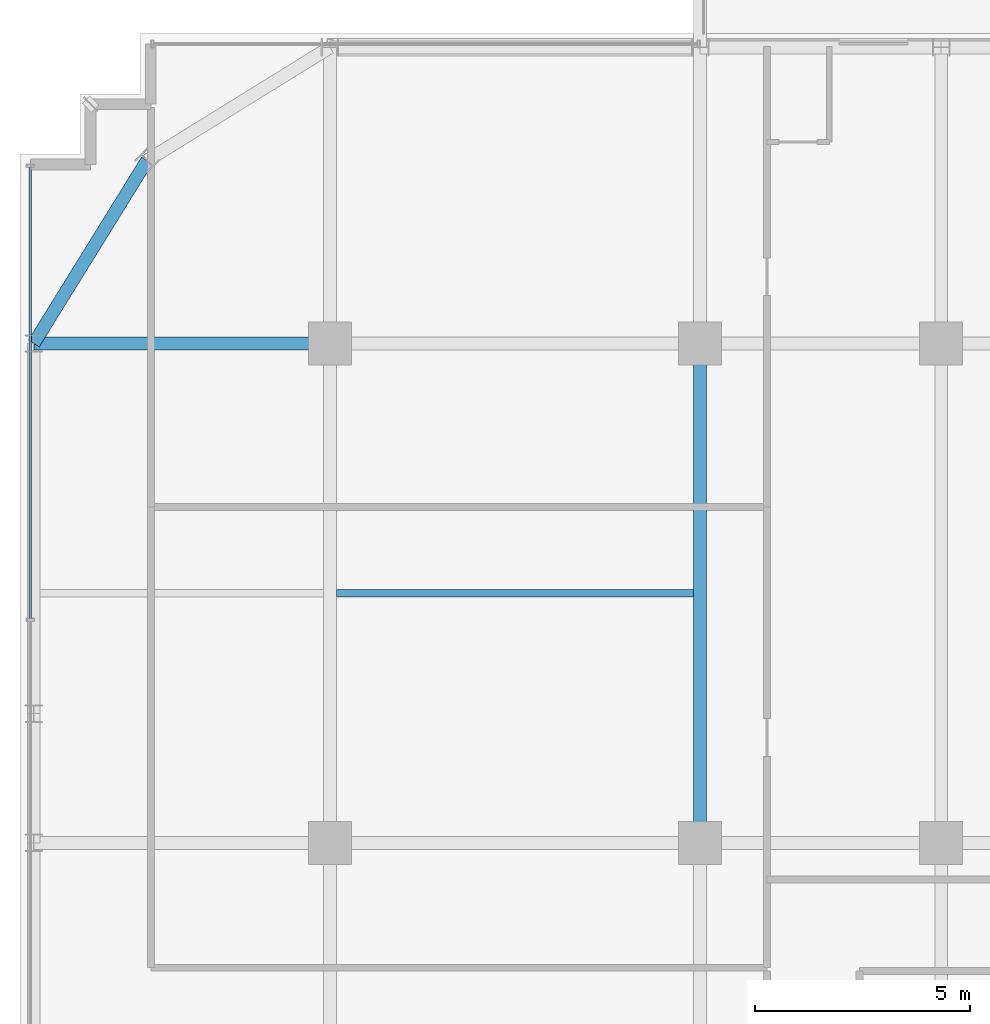
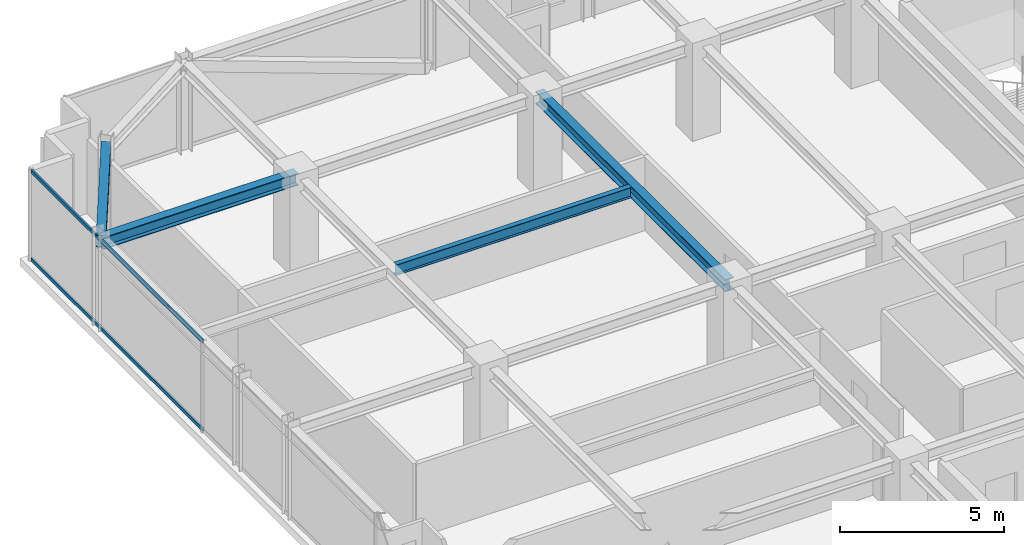
# One storey, part 19 of 42: 4 beams, 2 members, 1 element without a shape of its own.
"""IFC4 building model written with IfcOpenShell, lengths in metres."""

from ifc_helpers import new_model, si_unit, direction, frame, origin, origin_2d, place, context, subcontext, project, spatial, hollow_rectangle, i_section, extrude, source, transform, mapped, material, material_profile, profile_set, type_object, element, aggregate, save


model = new_model("IFC4")

# Units and contexts
model_context = context("Model", 3, precision=1e-05, world=origin(), true_north=direction((0.0, 1.0)))
body_context = subcontext(model_context, "Body", "Model", "MODEL_VIEW")
ifc_project = project(units=[si_unit("LENGTHUNIT", "METRE"), si_unit("AREAUNIT", "SQUARE_METRE"), si_unit("VOLUMEUNIT", "CUBIC_METRE"), si_unit("PLANEANGLEUNIT", "RADIAN"), si_unit("MASSUNIT", "GRAM", prefix="KILO")], contexts=[model_context])

# Site, building, storey
site_placement = place(None, origin())
site = spatial("IfcSite", under=ifc_project, at=site_placement, CompositionType="ELEMENT")
building_placement = place(site_placement, origin())
building = spatial("IfcBuilding", under=site, at=building_placement, Name="Nahalor Promenade Grand Hotel", CompositionType="ELEMENT")
storey_placement = place(building_placement, frame((0.0, 0.0, 249.300048828125)))
storey = spatial("IfcBuildingStorey", under=building, at=storey_placement, Name="L64", CompositionType="ELEMENT", Elevation=249.300048828125)

# Beams
ifc_material_1 = material(Name="Steel S355JR", Category="steel")
ifc_material_profile_1 = material_profile(ifc_material_1, i_section(OverallWidth=0.3, OverallDepth=0.45, WebThickness=0.014, FlangeThickness=0.026, at=origin_2d()), Name="HEB 450")
ifc_profile_set_1 = profile_set([ifc_material_profile_1], Name="Steel S355JR")
beam_type_1 = type_object("IfcBeamType", Name="Beam-Spandrel-HEB450", PredefinedType="SPANDREL", material=ifc_profile_set_1)
shared_shape_1 = source(origin(), body_context, "Body", "SweptSolid", [
    extrude(i_section(OverallWidth=0.3, OverallDepth=0.45, WebThickness=0.014, FlangeThickness=0.026, at=origin_2d()), origin(), (0.0, 0.0, 1.0), 4.997802734375),
])
beam_1_placement = place(storey_placement, frame((-21.25, 21.25, 3.18505859375), z_axis=(-0.526199891161, -0.850360908404, 0.0), x_axis=(0.850360908404, -0.526199891161, 0.0)))
element("IfcBeam", 1, at=beam_1_placement, inside=storey, type_object=beam_type_1, Name="BM-L64-SPC-NW-2", PredefinedType="SPANDREL", context=body_context, shape_type="MappedRepresentation", body=[
    mapped(shared_shape_1, transform((0.0, 0.0, 0.0), scale=1.0)),
])
ifc_material_profile_2 = material_profile(ifc_material_1, i_section(OverallWidth=0.3, OverallDepth=0.45, WebThickness=0.014, FlangeThickness=0.026, at=origin_2d()), Name="HEB 450")
ifc_profile_set_2 = profile_set([ifc_material_profile_2], Name="Steel S355JR")
beam_type_2 = type_object("IfcBeamType", Name="Beam-Girder-HEB450", PredefinedType="BEAM", material=ifc_profile_set_2)
shared_shape_2 = source(origin(), body_context, "Body", "SweptSolid", [
    extrude(i_section(OverallWidth=0.3, OverallDepth=0.45, WebThickness=0.014, FlangeThickness=0.026, at=origin_2d()), origin(), (0.0, 0.0, 1.0), 6.8798828125),
])
beam_2_placement = place(storey_placement, frame((-23.8798828125, 17.0, 3.18505859375), z_axis=(1.0, 0.0, 0.0), x_axis=(0.0, 1.0, 0.0)))
element("IfcBeam", 2, at=beam_2_placement, inside=storey, type_object=beam_type_2, Name="BM-L64-GX-3-0", PredefinedType="BEAM", context=body_context, shape_type="MappedRepresentation", body=[
    mapped(shared_shape_2, transform((0.0, 0.0, 0.0), scale=1.0)),
])
shared_shape_3 = source(origin(), body_context, "Body", "SweptSolid", [
    extrude(i_section(OverallWidth=0.3, OverallDepth=0.45, WebThickness=0.014, FlangeThickness=0.026, at=origin_2d()), origin(), (0.0, 0.0, 1.0), 11.60009765625),
])
beam_3_placement = place(storey_placement, frame((-8.39990234375, 5.39990234375, 3.18505859375), z_axis=(0.0, 1.0, 0.0), x_axis=(-1.0, 0.0, 0.0)))
element("IfcBeam", 3, at=beam_3_placement, inside=storey, type_object=beam_type_2, Name="BM-L64-GY-1-3", PredefinedType="BEAM", context=body_context, shape_type="MappedRepresentation", body=[
    mapped(shared_shape_3, transform((0.0, 0.0, 0.0), scale=1.0)),
])
ifc_material_profile_3 = material_profile(ifc_material_1, i_section(OverallWidth=0.18, OverallDepth=0.4, WebThickness=0.0086, FlangeThickness=0.0135, at=origin_2d()), Name="IPE 400")
ifc_profile_set_3 = profile_set([ifc_material_profile_3], Name="Steel S355JR")
beam_type_3 = type_object("IfcBeamType", Name="Beam-Joist-IPE400", PredefinedType="JOIST", material=ifc_profile_set_3)
shared_shape_4 = source(origin(), body_context, "Body", "SweptSolid", [
    extrude(i_section(OverallWidth=0.18, OverallDepth=0.4, WebThickness=0.0086, FlangeThickness=0.0135, at=origin_2d()), origin(), (0.0, 0.0, 1.0), 8.300048828125),
])
beam_4_placement = place(storey_placement, frame((-16.85009765625, 11.199951171875, 3.2099609375), z_axis=(1.0, 0.0, 0.0), x_axis=(0.0, 1.0, 0.0)))
element("IfcBeam", 4, at=beam_4_placement, inside=storey, type_object=beam_type_3, Name="BM-L64-JSW-1-1", PredefinedType="JOIST", context=body_context, shape_type="MappedRepresentation", body=[
    mapped(shared_shape_4, transform((0.0, 0.0, 0.0), scale=1.0)),
])

# Curtain wall, members
ifc_material_2 = material(Name="Anodised Bronze Aluminium EN AW-6063 T6", Category="aluminium")
curtain_wall_type = type_object("IfcCurtainWallType", Name="CW2 Typical Hotel Flush Bronze Unitised Curtain Wall", PredefinedType="USERDEFINED", material=ifc_material_2)
curtain_wall_placement = place(storey_placement, origin())
curtain_wall = element("IfcCurtainWall", 5, at=curtain_wall_placement, inside=storey, type_object=curtain_wall_type, Name="L64 Curtain Wall CW-L64-W-1", ObjectType="UNITISED_CURTAIN_WALL", PredefinedType="USERDEFINED")
ifc_material_profile_4 = material_profile(ifc_material_2, hollow_rectangle(XDim=0.065, YDim=0.13, WallThickness=0.004, at=origin_2d()), Name="CWT 65x130x4")
ifc_profile_set_4 = profile_set([ifc_material_profile_4], Name="Anodised Bronze Aluminium EN AW-6063 T6")
member_type = type_object("IfcMemberType", Name="CWT2 Typical Bronze Transom 65x130", PredefinedType="USERDEFINED", material=ifc_profile_set_4)
shared_shape_5 = source(origin(), body_context, "Body", "SweptSolid", [
    extrude(hollow_rectangle(XDim=0.065, YDim=0.13, WallThickness=0.004, at=origin_2d()), origin(), (0.0, 0.0, 1.0), 10.482421875),
])
member_1_placement = place(storey_placement, frame((-23.9599609375, 10.612548828125, 0.06494140625), z_axis=(0.0, 1.0, 0.0), x_axis=(-1.0, 0.0, 0.0)))
member_1 = element("IfcMember", 6, at=member_1_placement, type_object=member_type, Name="CW-L64-W-1 Transom 3-0", ObjectType="TRANSOM", PredefinedType="USERDEFINED", context=body_context, shape_type="MappedRepresentation", body=[
    mapped(shared_shape_5, transform((0.0, 0.0, 0.0), scale=1.0)),
])
member_2_placement = place(storey_placement, frame((-23.9599609375, 10.612548828125, 3.344970703125), z_axis=(0.0, 1.0, 0.0), x_axis=(-1.0, 0.0, 0.0)))
member_2 = element("IfcMember", 7, at=member_2_placement, type_object=member_type, Name="CW-L64-W-1 Transom 3-1", ObjectType="TRANSOM", PredefinedType="USERDEFINED", context=body_context, shape_type="MappedRepresentation", body=[
    mapped(shared_shape_5, transform((0.0, 0.0, 0.0), scale=1.0)),
])
aggregate(curtain_wall, [member_1, member_2])

save(model, "model.ifc")
